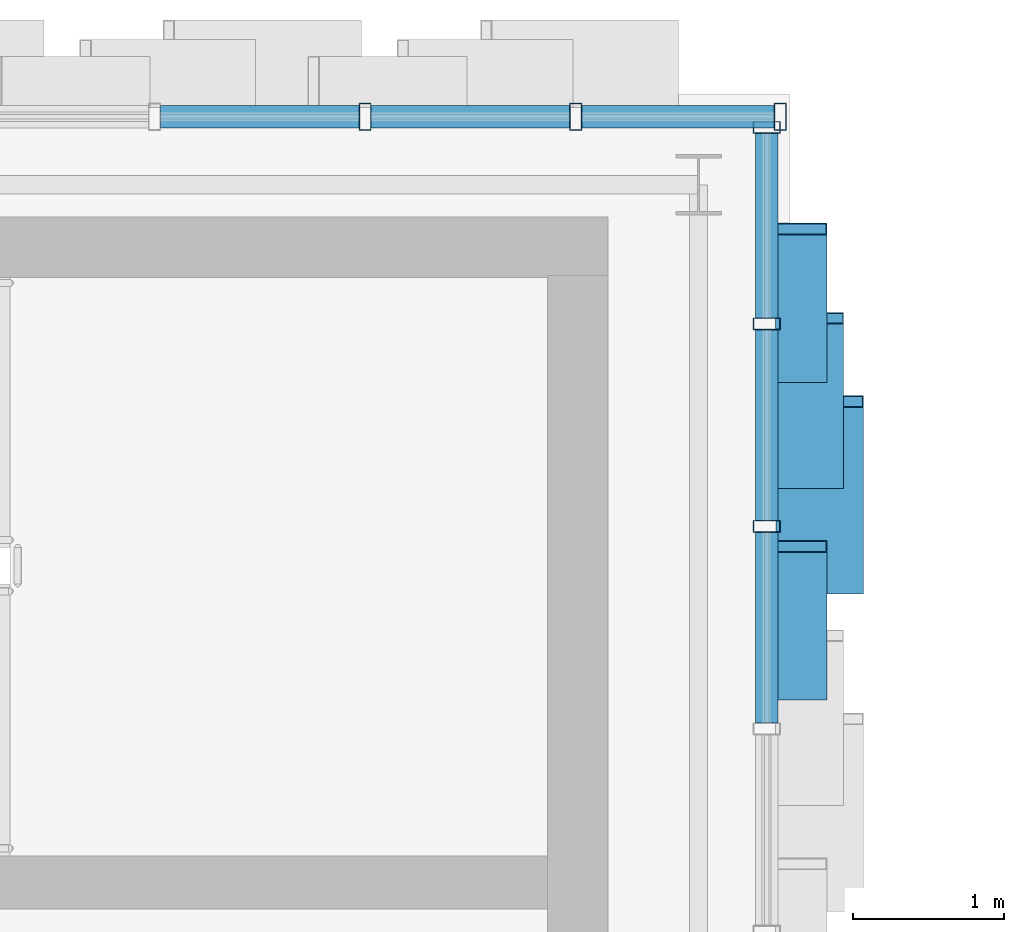
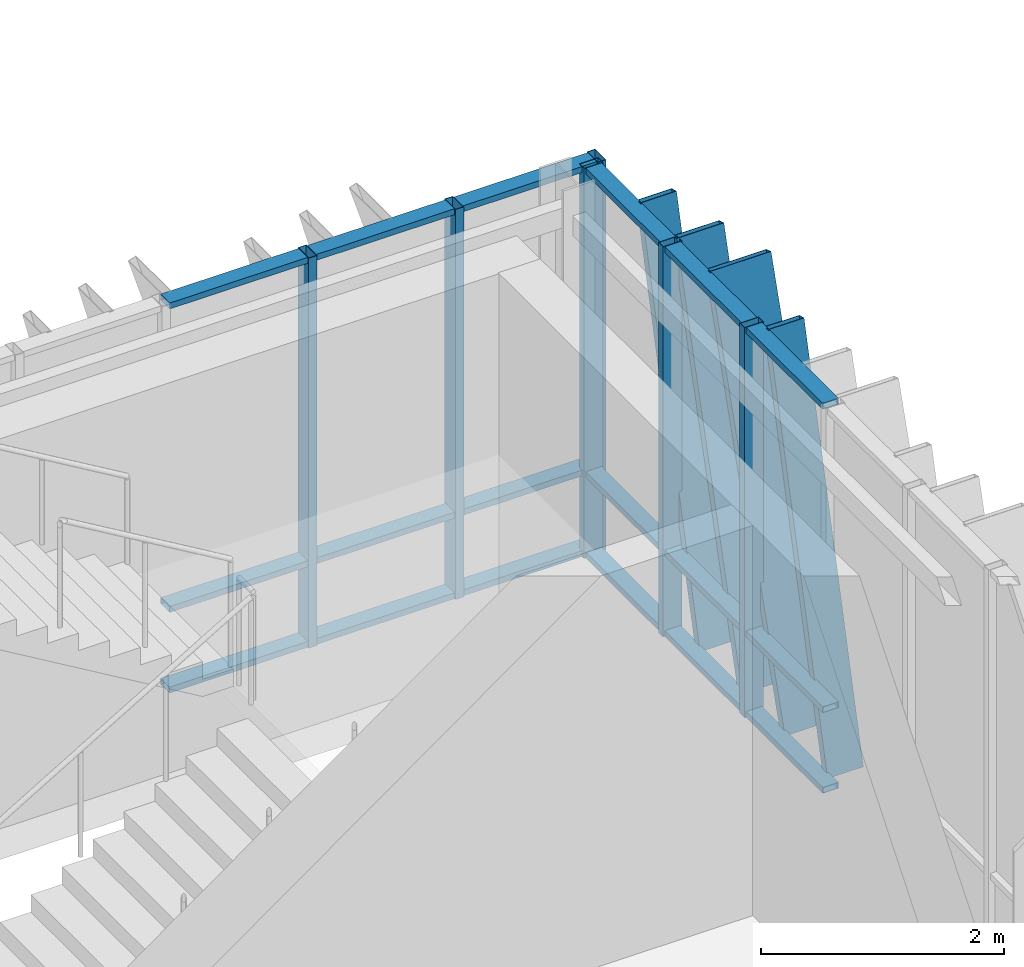
# One storey, part 70 of 127: 28 members, 2 elements without a shape of their own.
"""IFC4 building model written with IfcOpenShell, lengths in metres."""

from ifc_helpers import new_model, si_unit, direction, frame, origin, origin_2d, place, context, subcontext, project, spatial, hollow_rectangle, extrude, material, layer, layer_set, material_profile, profile_set, type_object, element, aggregate, save


model = new_model("IFC4")

# Units and contexts
model_context = context("Model", 3, precision=1e-05, world=origin(), true_north=direction((0.0, 1.0)))
body_context = subcontext(model_context, "Body", "Model", "MODEL_VIEW")
ifc_project = project(units=[si_unit("LENGTHUNIT", "METRE"), si_unit("AREAUNIT", "SQUARE_METRE"), si_unit("VOLUMEUNIT", "CUBIC_METRE"), si_unit("PLANEANGLEUNIT", "RADIAN"), si_unit("MASSUNIT", "GRAM", prefix="KILO")], contexts=[model_context])

# Site, building, storey
site_placement = place(None, origin())
site = spatial("IfcSite", under=ifc_project, at=site_placement, CompositionType="ELEMENT")
building_placement = place(site_placement, origin())
building = spatial("IfcBuilding", under=site, at=building_placement, Name="Zayran Congress Hotel", CompositionType="ELEMENT")
storey_placement = place(building_placement, frame((0.0, 0.0, 10.800048828125)))
storey = spatial("IfcBuildingStorey", under=building, at=storey_placement, Name="L02", CompositionType="ELEMENT", Elevation=10.800048828125)

# Curtain wall, members
ifc_material_1 = material(Name="Anodised aluminium and low-E insulated glass", Category="aluminium")
ifc_layer_1 = layer(ifc_material_1, 0.179931640625)
ifc_layer_set_1 = layer_set([ifc_layer_1], Name="Anodised aluminium and low-E insulated glass")
curtain_wall_type_1 = type_object("IfcCurtainWallType", Name="CW-V1N-L02-CW-21-8360-3920", PredefinedType="USERDEFINED", material=ifc_layer_set_1)
curtain_wall_1_placement = place(storey_placement, origin())
curtain_wall_1 = element("IfcCurtainWall", 1, at=curtain_wall_1_placement, inside=storey, type_object=curtain_wall_type_1, Name="CW-V1N-L02-9", ObjectType="CURTAIN WALL", PredefinedType="USERDEFINED")
ifc_material_2 = material(Name="Anodised aluminium framing", Category="aluminium")
ifc_material_profile_1 = material_profile(ifc_material_2, hollow_rectangle(XDim=0.080078125, YDim=0.179931640625, WallThickness=0.0048828125, at=origin_2d()), Name="RHS 180x80x5")
ifc_profile_set_1 = profile_set([ifc_material_profile_1], Name="Anodised aluminium framing")
member_type_1 = type_object("IfcMemberType", Name="TP-CWM-01", PredefinedType="MULLION", material=ifc_profile_set_1)
member_1_placement = place(storey_placement, frame((92.340087890625, 117.85009765625, 0.0), z_axis=(0.0, 0.0, 1.0), x_axis=(1.0, 0.0, 0.0)))
member_1 = element("IfcMember", 2, at=member_1_placement, type_object=member_type_1, Name="CW-V1N-L02-9-M00", PredefinedType="MULLION", context=body_context, shape_type="SweptSolid", body=[
    extrude(hollow_rectangle(XDim=0.080078125, YDim=0.179931640625, WallThickness=0.0048828125, at=origin_2d()), origin(), (0.0, 0.0, 1.0), 3.919921875),
])
member_2_placement = place(storey_placement, frame((90.98681640625, 117.85009765625, 0.0), z_axis=(0.0, 0.0, 1.0), x_axis=(1.0, 0.0, 0.0)))
member_2 = element("IfcMember", 3, at=member_2_placement, type_object=member_type_1, Name="CW-V1N-L02-9-M01", PredefinedType="MULLION", context=body_context, shape_type="SweptSolid", body=[
    extrude(hollow_rectangle(XDim=0.080078125, YDim=0.179931640625, WallThickness=0.0048828125, at=origin_2d()), origin(), (0.0, 0.0, 1.0), 3.919921875),
])
member_3_placement = place(storey_placement, frame((89.59326171875, 117.85009765625, 0.0), z_axis=(0.0, 0.0, 1.0), x_axis=(1.0, 0.0, 0.0)))
member_3 = element("IfcMember", 4, at=member_3_placement, type_object=member_type_1, Name="CW-V1N-L02-9-M02", PredefinedType="MULLION", context=body_context, shape_type="SweptSolid", body=[
    extrude(hollow_rectangle(XDim=0.080078125, YDim=0.179931640625, WallThickness=0.0048828125, at=origin_2d()), origin(), (0.0, 0.0, 1.0), 3.919921875),
])

ifc_layer_2 = layer(ifc_material_1, 0.179931640625)
ifc_layer_set_2 = layer_set([ifc_layer_2], Name="Anodised aluminium and low-E insulated glass")
curtain_wall_type_2 = type_object("IfcCurtainWallType", Name="CW-V1E-L02-CW-42-8040-3920", PredefinedType="USERDEFINED", material=ifc_layer_set_2)
curtain_wall_2_placement = place(storey_placement, origin())
curtain_wall_2 = element("IfcCurtainWall", 5, at=curtain_wall_2_placement, inside=storey, type_object=curtain_wall_type_2, Name="CW-V1E-L02-5", ObjectType="CURTAIN WALL", PredefinedType="USERDEFINED")
member_4_placement = place(storey_placement, frame((92.25, 115.139892578125, 0.0), z_axis=(0.0, 0.0, 1.0), x_axis=(0.0, 1.0, 0.0)))
member_4 = element("IfcMember", 6, at=member_4_placement, type_object=member_type_1, Name="CW-V1E-L02-5-M04", PredefinedType="MULLION", context=body_context, shape_type="SweptSolid", body=[
    extrude(hollow_rectangle(XDim=0.080078125, YDim=0.179931640625, WallThickness=0.0048828125, at=origin_2d()), origin(), (0.0, 0.0, 1.0), 3.919921875),
])
member_5_placement = place(storey_placement, frame((92.25, 116.47998046875, 0.0), z_axis=(0.0, 0.0, 1.0), x_axis=(0.0, 1.0, 0.0)))
member_5 = element("IfcMember", 7, at=member_5_placement, type_object=member_type_1, Name="CW-V1E-L02-5-M05", PredefinedType="MULLION", context=body_context, shape_type="SweptSolid", body=[
    extrude(hollow_rectangle(XDim=0.080078125, YDim=0.179931640625, WallThickness=0.0048828125, at=origin_2d()), origin(), (0.0, 0.0, 1.0), 3.919921875),
])
member_6_placement = place(storey_placement, frame((92.25, 117.780029296875, 0.0), z_axis=(0.0, 0.0, 1.0), x_axis=(0.0, 1.0, 0.0)))
member_6 = element("IfcMember", 8, at=member_6_placement, type_object=member_type_1, Name="CW-V1E-L02-5-M06", PredefinedType="MULLION", context=body_context, shape_type="SweptSolid", body=[
    extrude(hollow_rectangle(XDim=0.080078125, YDim=0.179931640625, WallThickness=0.0048828125, at=origin_2d()), origin(), (0.0, 0.0, 1.0), 3.919921875),
])

# Member
ifc_material_profile_2 = material_profile(ifc_material_2, hollow_rectangle(XDim=0.06005859375, YDim=0.14990234375, WallThickness=0.00390625, at=origin_2d()), Name="RHS 150x60x4")
ifc_profile_set_2 = profile_set([ifc_material_profile_2], Name="Anodised aluminium framing")
member_type_2 = type_object("IfcMemberType", Name="TP-CWT-01", PredefinedType="USERDEFINED", material=ifc_profile_set_2)
member_7_placement = place(storey_placement, frame((92.300048828125, 117.85009765625, 0.030029296875), z_axis=(-1.0, 0.0, 0.0), x_axis=(0.0, 0.0, 1.0)))
member_7 = element("IfcMember", 9, at=member_7_placement, type_object=member_type_2, Name="CW-V1N-L02-9-T00-0", ObjectType="TRANSOM", PredefinedType="USERDEFINED", context=body_context, shape_type="SweptSolid", body=[
    extrude(hollow_rectangle(XDim=0.06005859375, YDim=0.14990234375, WallThickness=0.00390625, at=origin_2d()), origin(), (0.0, 0.0, 1.0), 1.2734375),
])

member_8_placement = place(storey_placement, frame((92.300048828125, 117.85009765625, 0.83984375), z_axis=(-1.0, 0.0, 0.0), x_axis=(0.0, 0.0, 1.0)))
member_8 = element("IfcMember", 10, at=member_8_placement, type_object=member_type_2, Name="CW-V1N-L02-9-T00-1", ObjectType="TRANSOM", PredefinedType="USERDEFINED", context=body_context, shape_type="SweptSolid", body=[
    extrude(hollow_rectangle(XDim=0.06005859375, YDim=0.14990234375, WallThickness=0.00390625, at=origin_2d()), origin(), (0.0, 0.0, 1.0), 1.2734375),
])

member_9_placement = place(storey_placement, frame((92.300048828125, 117.85009765625, 3.889892578125), z_axis=(-1.0, 0.0, 0.0), x_axis=(0.0, 0.0, 1.0)))
member_9 = element("IfcMember", 11, at=member_9_placement, type_object=member_type_2, Name="CW-V1N-L02-9-T00-2", ObjectType="TRANSOM", PredefinedType="USERDEFINED", context=body_context, shape_type="SweptSolid", body=[
    extrude(hollow_rectangle(XDim=0.06005859375, YDim=0.14990234375, WallThickness=0.00390625, at=origin_2d()), origin(), (0.0, 0.0, 1.0), 1.2734375),
])

member_10_placement = place(storey_placement, frame((90.94677734375, 117.85009765625, 0.030029296875), z_axis=(-1.0, 0.0, 0.0), x_axis=(0.0, 0.0, 1.0)))
member_10 = element("IfcMember", 12, at=member_10_placement, type_object=member_type_2, Name="CW-V1N-L02-9-T01-0", ObjectType="TRANSOM", PredefinedType="USERDEFINED", context=body_context, shape_type="SweptSolid", body=[
    extrude(hollow_rectangle(XDim=0.06005859375, YDim=0.14990234375, WallThickness=0.00390625, at=origin_2d()), origin(), (0.0, 0.0, 1.0), 1.3134765625),
])

member_11_placement = place(storey_placement, frame((90.94677734375, 117.85009765625, 0.83984375), z_axis=(-1.0, 0.0, 0.0), x_axis=(0.0, 0.0, 1.0)))
member_11 = element("IfcMember", 13, at=member_11_placement, type_object=member_type_2, Name="CW-V1N-L02-9-T01-1", ObjectType="TRANSOM", PredefinedType="USERDEFINED", context=body_context, shape_type="SweptSolid", body=[
    extrude(hollow_rectangle(XDim=0.06005859375, YDim=0.14990234375, WallThickness=0.00390625, at=origin_2d()), origin(), (0.0, 0.0, 1.0), 1.3134765625),
])

member_12_placement = place(storey_placement, frame((90.94677734375, 117.85009765625, 3.889892578125), z_axis=(-1.0, 0.0, 0.0), x_axis=(0.0, 0.0, 1.0)))
member_12 = element("IfcMember", 14, at=member_12_placement, type_object=member_type_2, Name="CW-V1N-L02-9-T01-2", ObjectType="TRANSOM", PredefinedType="USERDEFINED", context=body_context, shape_type="SweptSolid", body=[
    extrude(hollow_rectangle(XDim=0.06005859375, YDim=0.14990234375, WallThickness=0.00390625, at=origin_2d()), origin(), (0.0, 0.0, 1.0), 1.3134765625),
])

member_13_placement = place(storey_placement, frame((89.55322265625, 117.85009765625, 0.030029296875), z_axis=(-1.0, 0.0, 0.0), x_axis=(0.0, 0.0, 1.0)))
member_13 = element("IfcMember", 15, at=member_13_placement, type_object=member_type_2, Name="CW-V1N-L02-9-T02-0", ObjectType="TRANSOM", PredefinedType="USERDEFINED", context=body_context, shape_type="SweptSolid", body=[
    extrude(hollow_rectangle(XDim=0.06005859375, YDim=0.14990234375, WallThickness=0.00390625, at=origin_2d()), origin(), (0.0, 0.0, 1.0), 1.313232421875),
])

member_14_placement = place(storey_placement, frame((89.55322265625, 117.85009765625, 0.83984375), z_axis=(-1.0, 0.0, 0.0), x_axis=(0.0, 0.0, 1.0)))
member_14 = element("IfcMember", 16, at=member_14_placement, type_object=member_type_2, Name="CW-V1N-L02-9-T02-1", ObjectType="TRANSOM", PredefinedType="USERDEFINED", context=body_context, shape_type="SweptSolid", body=[
    extrude(hollow_rectangle(XDim=0.06005859375, YDim=0.14990234375, WallThickness=0.00390625, at=origin_2d()), origin(), (0.0, 0.0, 1.0), 1.313232421875),
])

member_15_placement = place(storey_placement, frame((89.55322265625, 117.85009765625, 3.889892578125), z_axis=(-1.0, 0.0, 0.0), x_axis=(0.0, 0.0, 1.0)))
member_15 = element("IfcMember", 17, at=member_15_placement, type_object=member_type_2, Name="CW-V1N-L02-9-T02-2", ObjectType="TRANSOM", PredefinedType="USERDEFINED", context=body_context, shape_type="SweptSolid", body=[
    extrude(hollow_rectangle(XDim=0.06005859375, YDim=0.14990234375, WallThickness=0.00390625, at=origin_2d()), origin(), (0.0, 0.0, 1.0), 1.313232421875),
])

aggregate(curtain_wall_1, [member_1, member_2, member_3, member_7, member_8, member_9, member_10, member_11, member_12, member_13, member_14, member_15])

member_16_placement = place(storey_placement, frame((92.25, 113.840087890625, 0.030029296875), z_axis=(0.0, 1.0, 0.0), x_axis=(0.0, 0.0, 1.0)))
member_16 = element("IfcMember", 18, at=member_16_placement, type_object=member_type_2, Name="CW-V1E-L02-5-T03-0", ObjectType="TRANSOM", PredefinedType="USERDEFINED", context=body_context, shape_type="SweptSolid", body=[
    extrude(hollow_rectangle(XDim=0.06005859375, YDim=0.14990234375, WallThickness=0.00390625, at=origin_2d()), origin(), (0.0, 0.0, 1.0), 1.260009765625),
])

member_17_placement = place(storey_placement, frame((92.25, 113.840087890625, 0.83984375), z_axis=(0.0, 1.0, 0.0), x_axis=(0.0, 0.0, 1.0)))
member_17 = element("IfcMember", 19, at=member_17_placement, type_object=member_type_2, Name="CW-V1E-L02-5-T03-1", ObjectType="TRANSOM", PredefinedType="USERDEFINED", context=body_context, shape_type="SweptSolid", body=[
    extrude(hollow_rectangle(XDim=0.06005859375, YDim=0.14990234375, WallThickness=0.00390625, at=origin_2d()), origin(), (0.0, 0.0, 1.0), 1.260009765625),
])

member_18_placement = place(storey_placement, frame((92.25, 113.840087890625, 3.889892578125), z_axis=(0.0, 1.0, 0.0), x_axis=(0.0, 0.0, 1.0)))
member_18 = element("IfcMember", 20, at=member_18_placement, type_object=member_type_2, Name="CW-V1E-L02-5-T03-2", ObjectType="TRANSOM", PredefinedType="USERDEFINED", context=body_context, shape_type="SweptSolid", body=[
    extrude(hollow_rectangle(XDim=0.06005859375, YDim=0.14990234375, WallThickness=0.00390625, at=origin_2d()), origin(), (0.0, 0.0, 1.0), 1.260009765625),
])

member_19_placement = place(storey_placement, frame((92.25, 115.179931640625, 0.030029296875), z_axis=(0.0, 1.0, 0.0), x_axis=(0.0, 0.0, 1.0)))
member_19 = element("IfcMember", 21, at=member_19_placement, type_object=member_type_2, Name="CW-V1E-L02-5-T04-0", ObjectType="TRANSOM", PredefinedType="USERDEFINED", context=body_context, shape_type="SweptSolid", body=[
    extrude(hollow_rectangle(XDim=0.06005859375, YDim=0.14990234375, WallThickness=0.00390625, at=origin_2d()), origin(), (0.0, 0.0, 1.0), 1.260009765625),
])

member_20_placement = place(storey_placement, frame((92.25, 115.179931640625, 0.83984375), z_axis=(0.0, 1.0, 0.0), x_axis=(0.0, 0.0, 1.0)))
member_20 = element("IfcMember", 22, at=member_20_placement, type_object=member_type_2, Name="CW-V1E-L02-5-T04-1", ObjectType="TRANSOM", PredefinedType="USERDEFINED", context=body_context, shape_type="SweptSolid", body=[
    extrude(hollow_rectangle(XDim=0.06005859375, YDim=0.14990234375, WallThickness=0.00390625, at=origin_2d()), origin(), (0.0, 0.0, 1.0), 1.260009765625),
])

member_21_placement = place(storey_placement, frame((92.25, 115.179931640625, 3.889892578125), z_axis=(0.0, 1.0, 0.0), x_axis=(0.0, 0.0, 1.0)))
member_21 = element("IfcMember", 23, at=member_21_placement, type_object=member_type_2, Name="CW-V1E-L02-5-T04-2", ObjectType="TRANSOM", PredefinedType="USERDEFINED", context=body_context, shape_type="SweptSolid", body=[
    extrude(hollow_rectangle(XDim=0.06005859375, YDim=0.14990234375, WallThickness=0.00390625, at=origin_2d()), origin(), (0.0, 0.0, 1.0), 1.260009765625),
])

member_22_placement = place(storey_placement, frame((92.25, 116.52001953125, 0.030029296875), z_axis=(0.0, 1.0, 0.0), x_axis=(0.0, 0.0, 1.0)))
member_22 = element("IfcMember", 24, at=member_22_placement, type_object=member_type_2, Name="CW-V1E-L02-5-T05-0", ObjectType="TRANSOM", PredefinedType="USERDEFINED", context=body_context, shape_type="SweptSolid", body=[
    extrude(hollow_rectangle(XDim=0.06005859375, YDim=0.14990234375, WallThickness=0.00390625, at=origin_2d()), origin(), (0.0, 0.0, 1.0), 1.219970703125),
])

member_23_placement = place(storey_placement, frame((92.25, 116.52001953125, 0.83984375), z_axis=(0.0, 1.0, 0.0), x_axis=(0.0, 0.0, 1.0)))
member_23 = element("IfcMember", 25, at=member_23_placement, type_object=member_type_2, Name="CW-V1E-L02-5-T05-1", ObjectType="TRANSOM", PredefinedType="USERDEFINED", context=body_context, shape_type="SweptSolid", body=[
    extrude(hollow_rectangle(XDim=0.06005859375, YDim=0.14990234375, WallThickness=0.00390625, at=origin_2d()), origin(), (0.0, 0.0, 1.0), 1.219970703125),
])

member_24_placement = place(storey_placement, frame((92.25, 116.52001953125, 3.889892578125), z_axis=(0.0, 1.0, 0.0), x_axis=(0.0, 0.0, 1.0)))
member_24 = element("IfcMember", 26, at=member_24_placement, type_object=member_type_2, Name="CW-V1E-L02-5-T05-2", ObjectType="TRANSOM", PredefinedType="USERDEFINED", context=body_context, shape_type="SweptSolid", body=[
    extrude(hollow_rectangle(XDim=0.06005859375, YDim=0.14990234375, WallThickness=0.00390625, at=origin_2d()), origin(), (0.0, 0.0, 1.0), 1.219970703125),
])

ifc_material_3 = material(Name="Warm bronze anodised aluminium", Category="aluminium")
ifc_material_profile_3 = material_profile(ifc_material_3, hollow_rectangle(XDim=0.080078125, YDim=0.580078125, WallThickness=0.006103515625, at=origin_2d()), Name="RHS 580x80x6")
ifc_profile_set_3 = profile_set([ifc_material_profile_3], Name="Warm bronze anodised aluminium")
member_type_3 = type_object("IfcMemberType", Name="TP-RFN-01", PredefinedType="MULLION", material=ifc_profile_set_3)
member_25_placement = place(storey_placement, frame((92.60009765625, 114.72998046875, 0.0), z_axis=(0.0, 0.300736197829, 0.953707365661), x_axis=(0.0, -0.953707365661, 0.300736197829)))
member_25 = element("IfcMember", 27, at=member_25_placement, type_object=member_type_3, Name="Slanting Reed Mullion CW-42-07", PredefinedType="MULLION", context=body_context, shape_type="SweptSolid", body=[
    extrude(hollow_rectangle(XDim=0.080078125, YDim=0.580078125, WallThickness=0.006103515625, at=origin_2d()), origin(), (0.0, 0.0, 1.0), 4.110107421875),
])

ifc_material_profile_4 = material_profile(ifc_material_3, hollow_rectangle(XDim=0.080078125, YDim=0.449951171875, WallThickness=0.006103515625, at=origin_2d()), Name="RHS 450x80x6")
ifc_profile_set_4 = profile_set([ifc_material_profile_4], Name="Warm bronze anodised aluminium")
member_type_4 = type_object("IfcMemberType", Name="TP-RFN-02", PredefinedType="MULLION", material=ifc_profile_set_4)
member_26_placement = place(storey_placement, frame((92.534912109375, 115.429931640625, 0.0), z_axis=(0.0, 0.267253820088, 0.963626170072), x_axis=(0.0, -0.963626170072, 0.267253820088)))
member_26 = element("IfcMember", 28, at=member_26_placement, type_object=member_type_4, Name="Slanting Reed Mullion CW-42-08", PredefinedType="MULLION", context=body_context, shape_type="SweptSolid", body=[
    extrude(hollow_rectangle(XDim=0.080078125, YDim=0.449951171875, WallThickness=0.006103515625, at=origin_2d()), origin(), (0.0, 0.0, 1.0), 4.06787109375),
])

ifc_material_profile_5 = material_profile(ifc_material_3, hollow_rectangle(XDim=0.080078125, YDim=0.340087890625, WallThickness=0.006103515625, at=origin_2d()), Name="RHS 340x80x6")
ifc_profile_set_5 = profile_set([ifc_material_profile_5], Name="Warm bronze anodised aluminium")
member_type_5 = type_object("IfcMemberType", Name="TP-RFN-03", PredefinedType="MULLION", material=ifc_profile_set_5)
member_27_placement = place(storey_placement, frame((92.47998046875, 114.030029296875, 0.0), z_axis=(0.0, 0.241909924035, 0.970298711044), x_axis=(0.0, -0.970298711044, 0.241909924035)))
member_27 = element("IfcMember", 29, at=member_27_placement, type_object=member_type_5, Name="Slanting Reed Mullion CW-42-06", PredefinedType="MULLION", context=body_context, shape_type="SweptSolid", body=[
    extrude(hollow_rectangle(XDim=0.080078125, YDim=0.340087890625, WallThickness=0.006103515625, at=origin_2d()), origin(), (0.0, 0.0, 1.0), 4.039794921875),
])

member_28_placement = place(storey_placement, frame((92.47998046875, 116.1298828125, 0.0), z_axis=(0.0, 0.24196681843, 0.970284524652), x_axis=(0.0, -0.970284524652, 0.24196681843)))
member_28 = element("IfcMember", 30, at=member_28_placement, type_object=member_type_5, Name="Slanting Reed Mullion CW-42-09", PredefinedType="MULLION", context=body_context, shape_type="SweptSolid", body=[
    extrude(hollow_rectangle(XDim=0.080078125, YDim=0.340087890625, WallThickness=0.006103515625, at=origin_2d()), origin(), (0.0, 0.0, 1.0), 4.0400390625),
])

aggregate(curtain_wall_2, [member_4, member_5, member_6, member_16, member_17, member_18, member_19, member_20, member_21, member_22, member_23, member_24, member_27, member_25, member_26, member_28])

save(model, "model.ifc")
